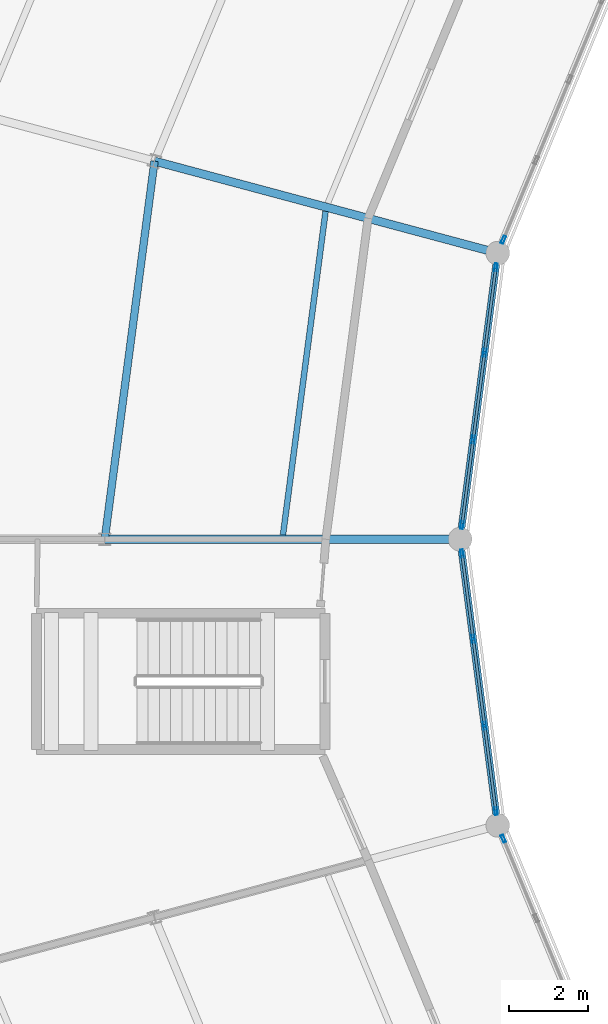
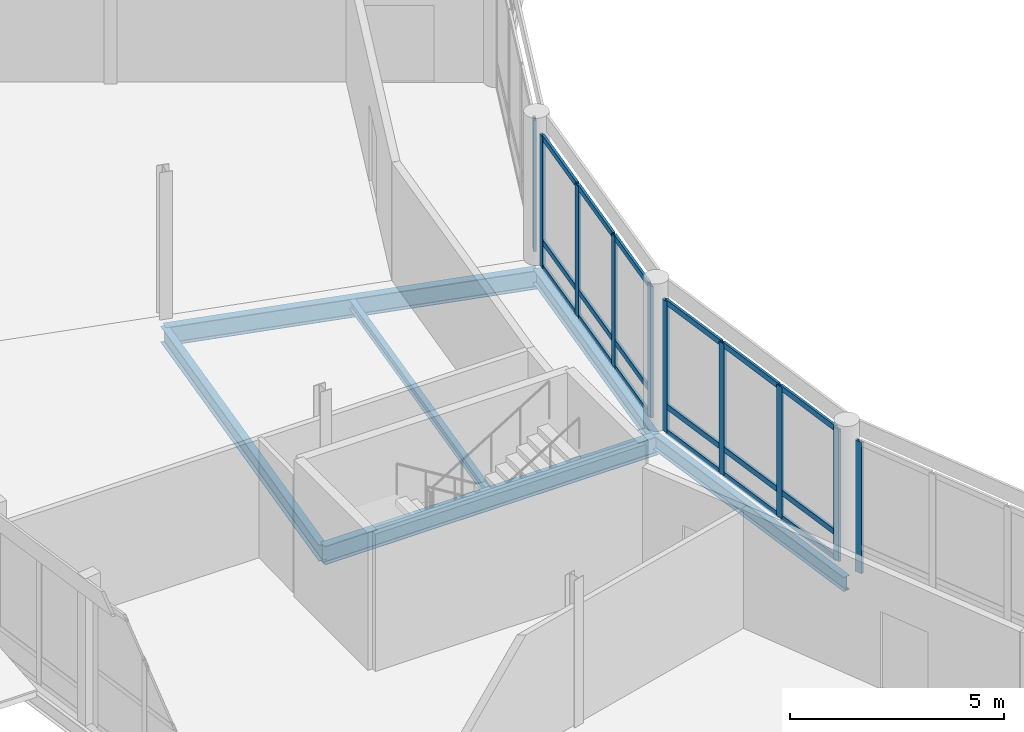
# One storey, part 63 of 170: 28 members, 6 beams, 4 elements without a shape of their own.
"""IFC4 building model written with IfcOpenShell, lengths in metres."""

from ifc_helpers import new_model, si_unit, direction, frame, origin, origin_2d, place, context, subcontext, project, spatial, hollow_rectangle, i_section, extrude, material, material_profile, profile_set, type_object, element, aggregate, save


model = new_model("IFC4")

# Units and contexts
model_context = context("Model", 3, precision=1e-05, world=origin(), true_north=direction((0.0, 1.0)))
body_context = subcontext(model_context, "Body", "Model", "MODEL_VIEW")
ifc_project = project(units=[si_unit("LENGTHUNIT", "METRE"), si_unit("AREAUNIT", "SQUARE_METRE"), si_unit("VOLUMEUNIT", "CUBIC_METRE"), si_unit("PLANEANGLEUNIT", "RADIAN"), si_unit("MASSUNIT", "GRAM", prefix="KILO")], contexts=[model_context])

# Site, building, storey
site_placement = place(None, origin())
site = spatial("IfcSite", under=ifc_project, at=site_placement, CompositionType="ELEMENT")
building_placement = place(site_placement, origin())
building = spatial("IfcBuilding", under=site, at=building_placement, Name="Vondelvale Polytechnic", CompositionType="ELEMENT")
storey_placement = place(building_placement, frame((0.0, 0.0, 5.39990234375)))
storey = spatial("IfcBuildingStorey", under=building, at=storey_placement, Name="L01", CompositionType="ELEMENT", Elevation=5.39990234375)

# Beams
ifc_material_1 = material(Name="Steel 300PLUS (fy = 300 MPa)", Category="steel")
ifc_material_profile_1 = material_profile(ifc_material_1, i_section(OverallWidth=0.177978515625, OverallDepth=0.406005859375, WebThickness=0.0078125, FlangeThickness=0.0126953125, FilletRadius=0.011474609375, at=origin_2d()), Name="410UB59.7")
ifc_profile_set_1 = profile_set([ifc_material_profile_1], Name="Steel 300PLUS (fy = 300 MPa)")
beam_type_1 = type_object("IfcBeamType", Name="BM-UB410", PredefinedType="BEAM", material=ifc_profile_set_1)
for number, where, z_axis, x_axis, name in (
    (1, (74.9541015625, 79.246826171875, -0.48291015625), (-0.13053140969, -0.991444174467, 0.0), (0.991444174467, -0.13053140969, 0.0), "L01 RB B-14"),
    (2, (74.0, 72.0, -0.48291015625), (0.13053140969, -0.991444174467, 0.0), (0.991444174467, 0.13053140969, 0.0), "L01 RB B-14"),
):
    element("IfcBeam", number, at=place(storey_placement, frame(where, z_axis=z_axis, x_axis=x_axis)), inside=storey, type_object=beam_type_1, Name=name, PredefinedType="BEAM", context=body_context, shape_type="SweptSolid", body=[
        extrude(i_section(OverallWidth=0.177978515625, OverallDepth=0.406005859375, WebThickness=0.0078125, FlangeThickness=0.0126953125, FilletRadius=0.011474609375, at=origin_2d()), origin(), (0.0, 0.0, 1.0), 7.309326171875),
    ])
ifc_material_profile_2 = material_profile(ifc_material_1, i_section(OverallWidth=0.19091796875, OverallDepth=0.4599609375, WebThickness=0.010009765625, FlangeThickness=0.01611328125, FilletRadius=0.011474609375, at=origin_2d()), Name="460UB82.1")
ifc_profile_set_2 = profile_set([ifc_material_profile_2], Name="Steel 300PLUS (fy = 300 MPa)")
beam_type_2 = type_object("IfcBeamType", Name="BM-UB460H", PredefinedType="BEAM", material=ifc_profile_set_2)
beam_1_placement = place(storey_placement, frame((66.2607421875, 81.576416015625, -0.510009765625), z_axis=(-0.130524472487, -0.991445087779, 0.0), x_axis=(0.991445087779, -0.130524472487, 0.0)))
element("IfcBeam", 3, at=beam_1_placement, inside=storey, type_object=beam_type_2, Name="L01 RB B-12", PredefinedType="BEAM", context=body_context, shape_type="SweptSolid", body=[
    extrude(i_section(OverallWidth=0.19091796875, OverallDepth=0.4599609375, WebThickness=0.010009765625, FlangeThickness=0.01611328125, FilletRadius=0.011474609375, at=origin_2d()), origin(), (0.0, 0.0, 1.0), 9.658935546875),
])
ifc_material_profile_3 = material_profile(ifc_material_1, i_section(OverallWidth=0.208984375, OverallDepth=0.532958984375, WebThickness=0.01025390625, FlangeThickness=0.015625, FilletRadius=0.013916015625, at=origin_2d()), Name="530UB92.4")
ifc_profile_set_3 = profile_set([ifc_material_profile_3], Name="Steel 300PLUS (fy = 300 MPa)")
beam_type_3 = type_object("IfcBeamType", Name="BM-UB530", PredefinedType="BEAM", material=ifc_profile_set_3)
for number, where, z_axis, x_axis, name in (
    (4, (74.9541015625, 79.246826171875, -0.54638671875), (-0.965919958881, 0.258840941576, 0.0), (-0.258840941576, -0.965919958881, 0.0), "L01 RG B-11"),
    (5, (74.0, 72.0, -0.54638671875), (-1.0, 0.0, 0.0), (0.0, -1.0, 0.0), "L01 RG B-11"),
):
    element("IfcBeam", number, at=place(storey_placement, frame(where, z_axis=z_axis, x_axis=x_axis)), inside=storey, type_object=beam_type_3, Name=name, PredefinedType="BEAM", context=body_context, shape_type="SweptSolid", body=[
        extrude(i_section(OverallWidth=0.208984375, OverallDepth=0.532958984375, WebThickness=0.01025390625, FlangeThickness=0.015625, FilletRadius=0.013916015625, at=origin_2d()), origin(), (0.0, 0.0, 1.0), 9.0),
    ])

# Curtain wall, member
ifc_material_2 = material(Name="Anodised extruded aluminium 6063-T6", Category="aluminium")
curtain_wall_type = type_object("IfcCurtainWallType", Name="CW-RING-CLOISTER", PredefinedType="NOTDEFINED", material=ifc_material_2)
curtain_wall_1_placement = place(storey_placement, origin())
curtain_wall_1 = element("IfcCurtainWall", 6, at=curtain_wall_1_placement, inside=storey, type_object=curtain_wall_type, Name="L01 architectural curtain wall CW-03-229", PredefinedType="NOTDEFINED")
ifc_material_profile_4 = material_profile(ifc_material_2, hollow_rectangle(XDim=0.070068359375, YDim=0.199951171875, WallThickness=0.00390625, at=origin_2d()), Name="CW-MUL-200x70")
ifc_profile_set_4 = profile_set([ifc_material_profile_4], Name="Anodised extruded aluminium 6063-T6")
member_type_1 = type_object("IfcMemberType", Name="CW-MUL-70x200", PredefinedType="MULLION", material=ifc_profile_set_4)
member_1_placement = place(storey_placement, frame((75.09375, 79.584228515625, 0.0), z_axis=(0.0, 0.0, 1.0), x_axis=(0.923881562419, -0.382678531697, 0.0)))
member_1 = element("IfcMember", 7, at=member_1_placement, type_object=member_type_1, Name="CW-03-229 mullion 4", PredefinedType="MULLION", context=body_context, shape_type="SweptSolid", body=[
    extrude(hollow_rectangle(XDim=0.070068359375, YDim=0.199951171875, WallThickness=0.00390625, at=origin_2d()), origin(), (0.0, 0.0, 1.0), 3.75),
])
aggregate(curtain_wall_1, [member_1])

# Curtain wall, members
curtain_wall_2_placement = place(storey_placement, origin())
curtain_wall_2 = element("IfcCurtainWall", 8, at=curtain_wall_2_placement, inside=storey, type_object=curtain_wall_type, Name="L01 architectural curtain wall CW-03-244", PredefinedType="NOTDEFINED")
member_2_placement = place(storey_placement, frame((74.90673828125, 78.886474609375, 0.0), z_axis=(0.0, 0.0, 1.0), x_axis=(0.99144462243, -0.130528007165, 0.0)))
member_2 = element("IfcMember", 9, at=member_2_placement, type_object=member_type_1, Name="CW-03-244 mullion 1", PredefinedType="MULLION", context=body_context, shape_type="SweptSolid", body=[
    extrude(hollow_rectangle(XDim=0.070068359375, YDim=0.199951171875, WallThickness=0.00390625, at=origin_2d()), origin(), (0.0, 0.0, 1.0), 3.75),
])
member_3_placement = place(storey_placement, frame((74.621826171875, 76.72265625, 0.0), z_axis=(0.0, 0.0, 1.0), x_axis=(0.99144462243, -0.130528007165, 0.0)))
member_3 = element("IfcMember", 10, at=member_3_placement, type_object=member_type_1, Name="CW-03-244 mullion 2", PredefinedType="MULLION", context=body_context, shape_type="SweptSolid", body=[
    extrude(hollow_rectangle(XDim=0.070068359375, YDim=0.199951171875, WallThickness=0.00390625, at=origin_2d()), origin(), (0.0, 0.0, 1.0), 3.75),
])
member_4_placement = place(storey_placement, frame((74.332275390625, 74.524169921875, 0.0), z_axis=(0.0, 0.0, 1.0), x_axis=(0.99144462243, -0.130528007165, 0.0)))
member_4 = element("IfcMember", 11, at=member_4_placement, type_object=member_type_1, Name="CW-03-244 mullion 3", PredefinedType="MULLION", context=body_context, shape_type="SweptSolid", body=[
    extrude(hollow_rectangle(XDim=0.070068359375, YDim=0.199951171875, WallThickness=0.00390625, at=origin_2d()), origin(), (0.0, 0.0, 1.0), 3.75),
])
member_5_placement = place(storey_placement, frame((74.04736328125, 72.360595703125, 0.0), z_axis=(0.0, 0.0, 1.0), x_axis=(0.99144462243, -0.130528007165, 0.0)))
member_5 = element("IfcMember", 12, at=member_5_placement, type_object=member_type_1, Name="CW-03-244 mullion 4", PredefinedType="MULLION", context=body_context, shape_type="SweptSolid", body=[
    extrude(hollow_rectangle(XDim=0.070068359375, YDim=0.199951171875, WallThickness=0.00390625, at=origin_2d()), origin(), (0.0, 0.0, 1.0), 3.75),
])

curtain_wall_3_placement = place(storey_placement, origin())
curtain_wall_3 = element("IfcCurtainWall", 13, at=curtain_wall_3_placement, inside=storey, type_object=curtain_wall_type, Name="L01 architectural curtain wall CW-03-259", PredefinedType="NOTDEFINED")
member_6_placement = place(storey_placement, frame((74.04736328125, 71.639404296875, 0.0), z_axis=(0.0, 0.0, 1.0), x_axis=(0.99144462243, 0.130528007165, 0.0)))
member_6 = element("IfcMember", 14, at=member_6_placement, type_object=member_type_1, Name="CW-03-259 mullion 1", PredefinedType="MULLION", context=body_context, shape_type="SweptSolid", body=[
    extrude(hollow_rectangle(XDim=0.070068359375, YDim=0.199951171875, WallThickness=0.00390625, at=origin_2d()), origin(), (0.0, 0.0, 1.0), 3.75),
])
member_7_placement = place(storey_placement, frame((74.332275390625, 69.475830078125, 0.0), z_axis=(0.0, 0.0, 1.0), x_axis=(0.99144462243, 0.130528007165, 0.0)))
member_7 = element("IfcMember", 15, at=member_7_placement, type_object=member_type_1, Name="CW-03-259 mullion 2", PredefinedType="MULLION", context=body_context, shape_type="SweptSolid", body=[
    extrude(hollow_rectangle(XDim=0.070068359375, YDim=0.199951171875, WallThickness=0.00390625, at=origin_2d()), origin(), (0.0, 0.0, 1.0), 3.75),
])
member_8_placement = place(storey_placement, frame((74.621826171875, 67.27734375, 0.0), z_axis=(0.0, 0.0, 1.0), x_axis=(0.99144462243, 0.130528007165, 0.0)))
member_8 = element("IfcMember", 16, at=member_8_placement, type_object=member_type_1, Name="CW-03-259 mullion 3", PredefinedType="MULLION", context=body_context, shape_type="SweptSolid", body=[
    extrude(hollow_rectangle(XDim=0.070068359375, YDim=0.199951171875, WallThickness=0.00390625, at=origin_2d()), origin(), (0.0, 0.0, 1.0), 3.75),
])
member_9_placement = place(storey_placement, frame((74.90673828125, 65.113525390625, 0.0), z_axis=(0.0, 0.0, 1.0), x_axis=(0.99144462243, 0.130528007165, 0.0)))
member_9 = element("IfcMember", 17, at=member_9_placement, type_object=member_type_1, Name="CW-03-259 mullion 4", PredefinedType="MULLION", context=body_context, shape_type="SweptSolid", body=[
    extrude(hollow_rectangle(XDim=0.070068359375, YDim=0.199951171875, WallThickness=0.00390625, at=origin_2d()), origin(), (0.0, 0.0, 1.0), 3.75),
])

# Curtain wall, member
curtain_wall_4_placement = place(storey_placement, origin())
curtain_wall_4 = element("IfcCurtainWall", 18, at=curtain_wall_4_placement, inside=storey, type_object=curtain_wall_type, Name="L01 architectural curtain wall CW-03-279", PredefinedType="NOTDEFINED")
member_10_placement = place(storey_placement, frame((75.09375, 64.415771484375, 0.0), z_axis=(0.0, 0.0, 1.0), x_axis=(0.923881562419, 0.382678531697, 0.0)))
member_10 = element("IfcMember", 19, at=member_10_placement, type_object=member_type_1, Name="CW-03-279 mullion 1", PredefinedType="MULLION", context=body_context, shape_type="SweptSolid", body=[
    extrude(hollow_rectangle(XDim=0.070068359375, YDim=0.199951171875, WallThickness=0.00390625, at=origin_2d()), origin(), (0.0, 0.0, 1.0), 3.75),
])
aggregate(curtain_wall_4, [member_10])

# Member
ifc_material_profile_5 = material_profile(ifc_material_2, hollow_rectangle(XDim=0.06494140625, YDim=0.159912109375, WallThickness=0.00341796875, at=origin_2d()), Name="CW-TRN-160x65")
ifc_profile_set_5 = profile_set([ifc_material_profile_5], Name="Anodised extruded aluminium 6063-T6")
member_type_2 = type_object("IfcMemberType", Name="CW-TRN-70x160", PredefinedType="USERDEFINED", material=ifc_profile_set_5)
member_11_placement = place(storey_placement, frame((74.902099609375, 78.851806640625, 0.03271484375), z_axis=(-0.130589036243, -0.991436585775, 0.0), x_axis=(0.991436585775, -0.130589036243, 0.0)))
member_11 = element("IfcMember", 20, at=member_11_placement, type_object=member_type_2, Name="CW-03-244 transom 1.1", ObjectType="TRANSOM", PredefinedType="USERDEFINED", context=body_context, shape_type="SweptSolid", body=[
    extrude(hollow_rectangle(XDim=0.06494140625, YDim=0.159912109375, WallThickness=0.00341796875, at=origin_2d()), origin(), (0.0, 0.0, 1.0), 2.112548828125),
])

member_12_placement = place(storey_placement, frame((74.902099609375, 78.851806640625, 0.75), z_axis=(-0.130589036243, -0.991436585775, 0.0), x_axis=(0.991436585775, -0.130589036243, 0.0)))
member_12 = element("IfcMember", 21, at=member_12_placement, type_object=member_type_2, Name="CW-03-244 transom 1.2", ObjectType="TRANSOM", PredefinedType="USERDEFINED", context=body_context, shape_type="SweptSolid", body=[
    extrude(hollow_rectangle(XDim=0.06494140625, YDim=0.159912109375, WallThickness=0.00341796875, at=origin_2d()), origin(), (0.0, 0.0, 1.0), 2.112548828125),
])

member_13_placement = place(storey_placement, frame((74.902099609375, 78.851806640625, 3.717529296875), z_axis=(-0.130589036243, -0.991436585775, 0.0), x_axis=(0.991436585775, -0.130589036243, 0.0)))
member_13 = element("IfcMember", 22, at=member_13_placement, type_object=member_type_2, Name="CW-03-244 transom 1.3", ObjectType="TRANSOM", PredefinedType="USERDEFINED", context=body_context, shape_type="SweptSolid", body=[
    extrude(hollow_rectangle(XDim=0.06494140625, YDim=0.159912109375, WallThickness=0.00341796875, at=origin_2d()), origin(), (0.0, 0.0, 1.0), 2.112548828125),
])

member_14_placement = place(storey_placement, frame((74.6171875, 76.68798828125, 0.03271484375), z_axis=(-0.1305103875, -0.991446941977, 0.0), x_axis=(0.991446941977, -0.1305103875, 0.0)))
member_14 = element("IfcMember", 23, at=member_14_placement, type_object=member_type_2, Name="CW-03-244 transom 2.1", ObjectType="TRANSOM", PredefinedType="USERDEFINED", context=body_context, shape_type="SweptSolid", body=[
    extrude(hollow_rectangle(XDim=0.06494140625, YDim=0.159912109375, WallThickness=0.00341796875, at=origin_2d()), origin(), (0.0, 0.0, 1.0), 2.1474609375),
])

member_15_placement = place(storey_placement, frame((74.6171875, 76.68798828125, 0.75), z_axis=(-0.1305103875, -0.991446941977, 0.0), x_axis=(0.991446941977, -0.1305103875, 0.0)))
member_15 = element("IfcMember", 24, at=member_15_placement, type_object=member_type_2, Name="CW-03-244 transom 2.2", ObjectType="TRANSOM", PredefinedType="USERDEFINED", context=body_context, shape_type="SweptSolid", body=[
    extrude(hollow_rectangle(XDim=0.06494140625, YDim=0.159912109375, WallThickness=0.00341796875, at=origin_2d()), origin(), (0.0, 0.0, 1.0), 2.1474609375),
])

member_16_placement = place(storey_placement, frame((74.6171875, 76.68798828125, 3.717529296875), z_axis=(-0.1305103875, -0.991446941977, 0.0), x_axis=(0.991446941977, -0.1305103875, 0.0)))
member_16 = element("IfcMember", 25, at=member_16_placement, type_object=member_type_2, Name="CW-03-244 transom 2.3", ObjectType="TRANSOM", PredefinedType="USERDEFINED", context=body_context, shape_type="SweptSolid", body=[
    extrude(hollow_rectangle(XDim=0.06494140625, YDim=0.159912109375, WallThickness=0.00341796875, at=origin_2d()), origin(), (0.0, 0.0, 1.0), 2.1474609375),
])

member_17_placement = place(storey_placement, frame((74.327880859375, 74.489501953125, 0.03271484375), z_axis=(-0.130604000296, -0.99143461464, 0.0), x_axis=(0.99143461464, -0.130604000296, 0.0)))
member_17 = element("IfcMember", 26, at=member_17_placement, type_object=member_type_2, Name="CW-03-244 transom 3.1", ObjectType="TRANSOM", PredefinedType="USERDEFINED", context=body_context, shape_type="SweptSolid", body=[
    extrude(hollow_rectangle(XDim=0.06494140625, YDim=0.159912109375, WallThickness=0.00341796875, at=origin_2d()), origin(), (0.0, 0.0, 1.0), 2.1123046875),
])

member_18_placement = place(storey_placement, frame((74.327880859375, 74.489501953125, 0.75), z_axis=(-0.130604000296, -0.99143461464, 0.0), x_axis=(0.99143461464, -0.130604000296, 0.0)))
member_18 = element("IfcMember", 27, at=member_18_placement, type_object=member_type_2, Name="CW-03-244 transom 3.2", ObjectType="TRANSOM", PredefinedType="USERDEFINED", context=body_context, shape_type="SweptSolid", body=[
    extrude(hollow_rectangle(XDim=0.06494140625, YDim=0.159912109375, WallThickness=0.00341796875, at=origin_2d()), origin(), (0.0, 0.0, 1.0), 2.1123046875),
])

member_19_placement = place(storey_placement, frame((74.327880859375, 74.489501953125, 3.717529296875), z_axis=(-0.130604000296, -0.99143461464, 0.0), x_axis=(0.99143461464, -0.130604000296, 0.0)))
member_19 = element("IfcMember", 28, at=member_19_placement, type_object=member_type_2, Name="CW-03-244 transom 3.3", ObjectType="TRANSOM", PredefinedType="USERDEFINED", context=body_context, shape_type="SweptSolid", body=[
    extrude(hollow_rectangle(XDim=0.06494140625, YDim=0.159912109375, WallThickness=0.00341796875, at=origin_2d()), origin(), (0.0, 0.0, 1.0), 2.1123046875),
])

aggregate(curtain_wall_2, [member_2, member_3, member_4, member_5, member_11, member_12, member_13, member_14, member_15, member_16, member_17, member_18, member_19])

member_20_placement = place(storey_placement, frame((74.052001953125, 71.604736328125, 0.03271484375), z_axis=(0.130604000296, -0.99143461464, 0.0), x_axis=(0.99143461464, 0.130604000296, 0.0)))
member_20 = element("IfcMember", 29, at=member_20_placement, type_object=member_type_2, Name="CW-03-259 transom 1.1", ObjectType="TRANSOM", PredefinedType="USERDEFINED", context=body_context, shape_type="SweptSolid", body=[
    extrude(hollow_rectangle(XDim=0.06494140625, YDim=0.159912109375, WallThickness=0.00341796875, at=origin_2d()), origin(), (0.0, 0.0, 1.0), 2.1123046875),
])

member_21_placement = place(storey_placement, frame((74.052001953125, 71.604736328125, 0.75), z_axis=(0.130604000296, -0.99143461464, 0.0), x_axis=(0.99143461464, 0.130604000296, 0.0)))
member_21 = element("IfcMember", 30, at=member_21_placement, type_object=member_type_2, Name="CW-03-259 transom 1.2", ObjectType="TRANSOM", PredefinedType="USERDEFINED", context=body_context, shape_type="SweptSolid", body=[
    extrude(hollow_rectangle(XDim=0.06494140625, YDim=0.159912109375, WallThickness=0.00341796875, at=origin_2d()), origin(), (0.0, 0.0, 1.0), 2.1123046875),
])

member_22_placement = place(storey_placement, frame((74.052001953125, 71.604736328125, 3.717529296875), z_axis=(0.130604000296, -0.99143461464, 0.0), x_axis=(0.99143461464, 0.130604000296, 0.0)))
member_22 = element("IfcMember", 31, at=member_22_placement, type_object=member_type_2, Name="CW-03-259 transom 1.3", ObjectType="TRANSOM", PredefinedType="USERDEFINED", context=body_context, shape_type="SweptSolid", body=[
    extrude(hollow_rectangle(XDim=0.06494140625, YDim=0.159912109375, WallThickness=0.00341796875, at=origin_2d()), origin(), (0.0, 0.0, 1.0), 2.1123046875),
])

member_23_placement = place(storey_placement, frame((74.3369140625, 69.441162109375, 0.03271484375), z_axis=(0.1305103875, -0.991446941977, 0.0), x_axis=(0.991446941977, 0.1305103875, 0.0)))
member_23 = element("IfcMember", 32, at=member_23_placement, type_object=member_type_2, Name="CW-03-259 transom 2.1", ObjectType="TRANSOM", PredefinedType="USERDEFINED", context=body_context, shape_type="SweptSolid", body=[
    extrude(hollow_rectangle(XDim=0.06494140625, YDim=0.159912109375, WallThickness=0.00341796875, at=origin_2d()), origin(), (0.0, 0.0, 1.0), 2.1474609375),
])

member_24_placement = place(storey_placement, frame((74.3369140625, 69.441162109375, 0.75), z_axis=(0.1305103875, -0.991446941977, 0.0), x_axis=(0.991446941977, 0.1305103875, 0.0)))
member_24 = element("IfcMember", 33, at=member_24_placement, type_object=member_type_2, Name="CW-03-259 transom 2.2", ObjectType="TRANSOM", PredefinedType="USERDEFINED", context=body_context, shape_type="SweptSolid", body=[
    extrude(hollow_rectangle(XDim=0.06494140625, YDim=0.159912109375, WallThickness=0.00341796875, at=origin_2d()), origin(), (0.0, 0.0, 1.0), 2.1474609375),
])

member_25_placement = place(storey_placement, frame((74.3369140625, 69.441162109375, 3.717529296875), z_axis=(0.1305103875, -0.991446941977, 0.0), x_axis=(0.991446941977, 0.1305103875, 0.0)))
member_25 = element("IfcMember", 34, at=member_25_placement, type_object=member_type_2, Name="CW-03-259 transom 2.3", ObjectType="TRANSOM", PredefinedType="USERDEFINED", context=body_context, shape_type="SweptSolid", body=[
    extrude(hollow_rectangle(XDim=0.06494140625, YDim=0.159912109375, WallThickness=0.00341796875, at=origin_2d()), origin(), (0.0, 0.0, 1.0), 2.1474609375),
])

member_26_placement = place(storey_placement, frame((74.626220703125, 67.24267578125, 0.03271484375), z_axis=(0.130589036243, -0.991436585775, 0.0), x_axis=(0.991436585775, 0.130589036243, 0.0)))
member_26 = element("IfcMember", 35, at=member_26_placement, type_object=member_type_2, Name="CW-03-259 transom 3.1", ObjectType="TRANSOM", PredefinedType="USERDEFINED", context=body_context, shape_type="SweptSolid", body=[
    extrude(hollow_rectangle(XDim=0.06494140625, YDim=0.159912109375, WallThickness=0.00341796875, at=origin_2d()), origin(), (0.0, 0.0, 1.0), 2.112548828125),
])

member_27_placement = place(storey_placement, frame((74.626220703125, 67.24267578125, 0.75), z_axis=(0.130589036243, -0.991436585775, 0.0), x_axis=(0.991436585775, 0.130589036243, 0.0)))
member_27 = element("IfcMember", 36, at=member_27_placement, type_object=member_type_2, Name="CW-03-259 transom 3.2", ObjectType="TRANSOM", PredefinedType="USERDEFINED", context=body_context, shape_type="SweptSolid", body=[
    extrude(hollow_rectangle(XDim=0.06494140625, YDim=0.159912109375, WallThickness=0.00341796875, at=origin_2d()), origin(), (0.0, 0.0, 1.0), 2.112548828125),
])

member_28_placement = place(storey_placement, frame((74.626220703125, 67.24267578125, 3.717529296875), z_axis=(0.130589036243, -0.991436585775, 0.0), x_axis=(0.991436585775, 0.130589036243, 0.0)))
member_28 = element("IfcMember", 37, at=member_28_placement, type_object=member_type_2, Name="CW-03-259 transom 3.3", ObjectType="TRANSOM", PredefinedType="USERDEFINED", context=body_context, shape_type="SweptSolid", body=[
    extrude(hollow_rectangle(XDim=0.06494140625, YDim=0.159912109375, WallThickness=0.00341796875, at=origin_2d()), origin(), (0.0, 0.0, 1.0), 2.112548828125),
])

aggregate(curtain_wall_3, [member_6, member_7, member_8, member_9, member_20, member_21, member_22, member_23, member_24, member_25, member_26, member_27, member_28])

# Beam
ifc_material_profile_6 = material_profile(ifc_material_1, i_section(OverallWidth=0.14599609375, OverallDepth=0.256103515625, WebThickness=0.00634765625, FlangeThickness=0.010986328125, FilletRadius=0.0087890625, at=origin_2d()), Name="250UB37.3")
ifc_profile_set_6 = profile_set([ifc_material_profile_6], Name="Steel 300PLUS (fy = 300 MPa)")
beam_type_4 = type_object("IfcBeamType", Name="JST-UB250", PredefinedType="JOIST", material=ifc_profile_set_6)
beam_2_placement = place(storey_placement, frame((70.593017578125, 80.302490234375, -0.407958984375), z_axis=(-0.130518705366, -0.991445847008, 0.0), x_axis=(0.991445847008, -0.130518705366, 0.0)))
element("IfcBeam", 38, at=beam_2_placement, inside=storey, type_object=beam_type_4, Name="L01 RJ J-06", PredefinedType="JOIST", context=body_context, shape_type="SweptSolid", body=[
    extrude(i_section(OverallWidth=0.14599609375, OverallDepth=0.256103515625, WebThickness=0.00634765625, FlangeThickness=0.010986328125, FilletRadius=0.0087890625, at=origin_2d()), origin(), (0.0, 0.0, 1.0), 8.26416015625),
])

save(model, "model.ifc")
